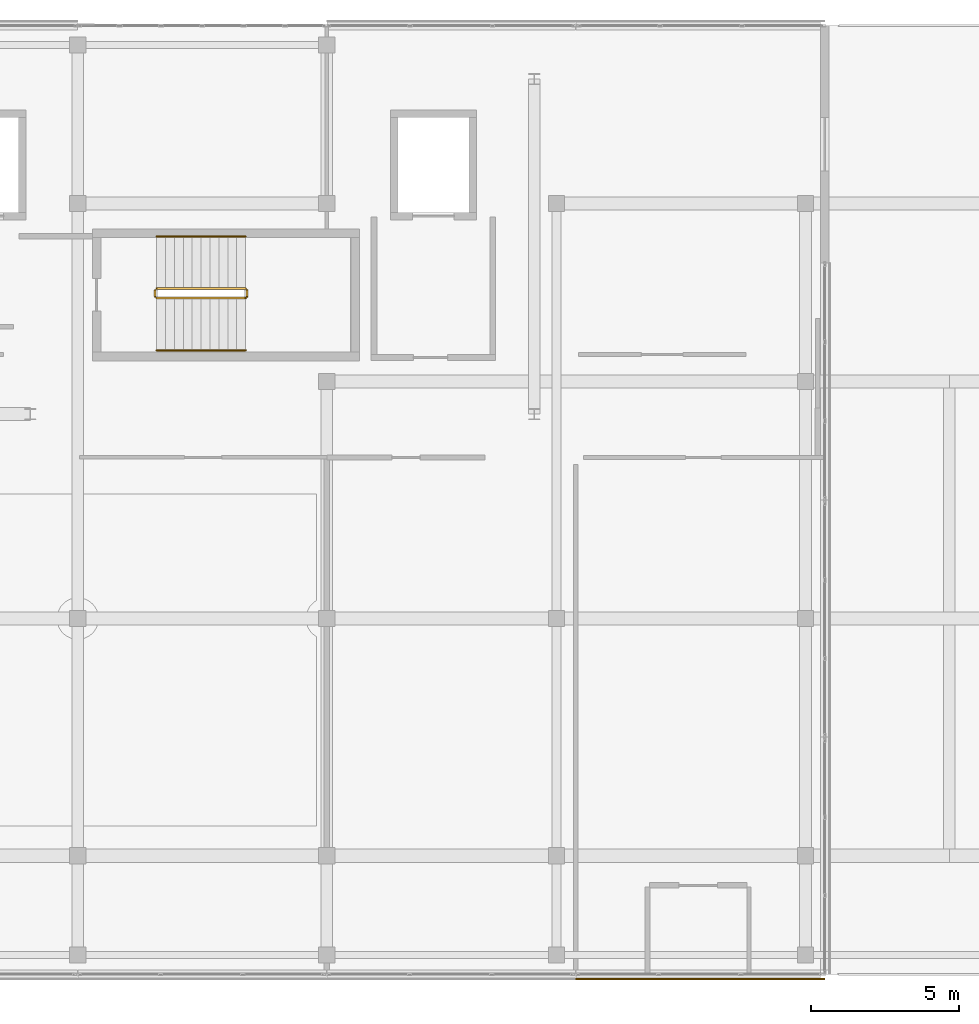
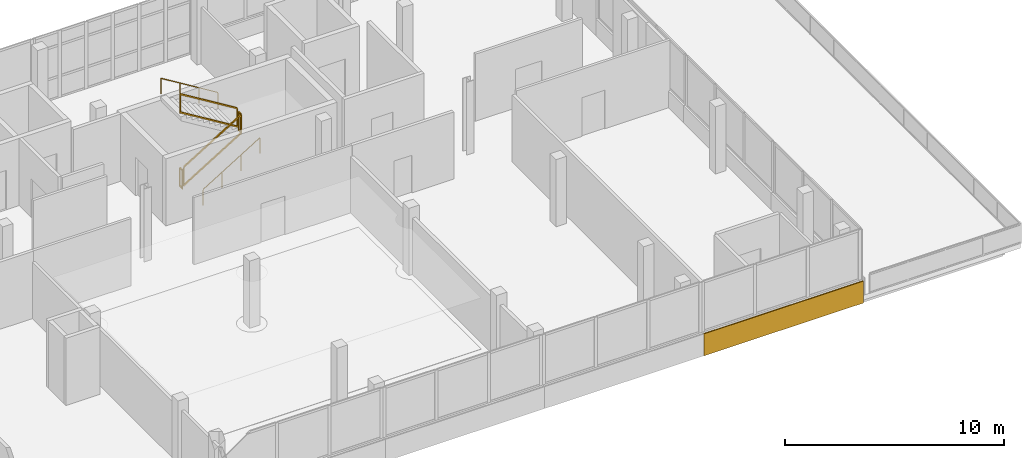
# One storey, part 65 of 67: 6 railings, 1 covering.
"""IFC4 building model written with IfcOpenShell, lengths in metres."""

from ifc_helpers import new_model, si_unit, direction, frame, origin, origin_2d, place, context, subcontext, project, spatial, rectangle, circle, extrude, material, layer, layer_set, type_object, element, save


model = new_model("IFC4")

# Units and contexts
model_context = context("Model", 3, precision=1e-05, world=origin(), true_north=direction((0.0, 1.0)))
body_context = subcontext(model_context, "Body", "Model", "MODEL_VIEW")
ifc_project = project(units=[si_unit("LENGTHUNIT", "METRE"), si_unit("AREAUNIT", "SQUARE_METRE"), si_unit("VOLUMEUNIT", "CUBIC_METRE"), si_unit("PLANEANGLEUNIT", "RADIAN"), si_unit("MASSUNIT", "GRAM", prefix="KILO")], contexts=[model_context])

# Site, building, storey
site_placement = place(None, origin())
site = spatial("IfcSite", under=ifc_project, at=site_placement, CompositionType="ELEMENT")
building_placement = place(site_placement, origin())
building = spatial("IfcBuilding", under=site, at=building_placement, Name="Selatvlak General Hospital", CompositionType="ELEMENT")
storey_placement = place(building_placement, frame((0.0, 0.0, 35.39990234375)))
storey = spatial("IfcBuildingStorey", under=building, at=storey_placement, Name="L08", CompositionType="ELEMENT", Elevation=35.39990234375)

# Covering
ifc_material_1 = material(Name="White Bauhaus fair-faced cladding panel")
ifc_layer = layer(ifc_material_1, 0.054931640625, Name="White Bauhaus fair-faced cladding panel")
ifc_layer_set = layer_set([ifc_layer], Name="White Bauhaus fair-faced cladding panel")
covering_type = type_object("IfcCoveringType", Name="COV-WHT1", PredefinedType="CLADDING", material=ifc_layer_set)
covering_placement = place(storey_placement, frame((153.0, 87.8359375, -0.27978515625), z_axis=(0.0, 0.0, 1.0), x_axis=(-1.0, 0.0, 0.0)))
element("IfcCovering", 1, at=covering_placement, inside=storey, type_object=covering_type, Name="L08 Bauhaus horizontal white spandrel band 0555", PredefinedType="CLADDING", context=body_context, shape_type="SweptSolid", body=[
    extrude(rectangle(XDim=8.39990234375, YDim=0.054931640625, at=origin_2d()), origin(), (0.0, 0.0, 1.0), 1.219970703125),
])

# Railings
ifc_material_2 = material(Name="Stainless steel 316 stair guard", Category="steel")
railing_type_1 = type_object("IfcRailingType", Name="RAIL-STG", PredefinedType="GUARDRAIL", material=ifc_material_2)
railing_1_placement = place(storey_placement, frame((134.659912109375, 110.81005859375, 0.18408203125)))
element("IfcRailing", 2, at=railing_1_placement, inside=storey, type_object=railing_type_1, Name="L08 ST-04 stair guard 1", PredefinedType="GUARDRAIL", context=body_context, shape_type="SweptSolid", body=[
    extrude(rectangle(XDim=0.068115234375, YDim=0.068115234375, at=origin_2d()), frame((0.00244140625, 0.0, 1.067626953125), z_axis=(0.852303052018, 0.0, 0.52304828412), x_axis=(0.0, 1.0, 0.0)), (0.0, 0.0, 1.0), 3.513916015625),
    extrude(rectangle(XDim=0.068115234375, YDim=0.068115234375, at=origin_2d()), frame((0.00244140625, 0.0, 0.050537109375), z_axis=(0.852303052018, 0.0, 0.52304828412), x_axis=(0.0, 1.0, 0.0)), (0.0, 0.0, 1.0), 3.513916015625),
    extrude(rectangle(XDim=0.055908203125, YDim=0.055908203125, at=origin_2d()), origin(), (0.0, 0.0, 1.0), 1.029052734375),
    extrude(rectangle(XDim=0.055908203125, YDim=0.055908203125, at=origin_2d()), frame((3.0, 0.0, 1.841064453125)), (0.0, 0.0, 1.0), 1.029052734375),
])
railing_2_placement = place(storey_placement, frame((137.7099609375, 110.860107421875, 2.025146484375)))
element("IfcRailing", 3, at=railing_2_placement, inside=storey, type_object=railing_type_1, Name="L08 ST-04 stair guard 2", PredefinedType="GUARDRAIL", context=body_context, shape_type="SweptSolid", body=[
    extrude(rectangle(XDim=0.068115234375, YDim=0.068115234375, at=origin_2d()), frame((0.0, 0.0029296875, 1.06591796875), z_axis=(0.0, 1.0, 0.0), x_axis=(-1.0, 0.0, 0.0)), (0.0, 0.0, 1.0), 0.214111328125),
    extrude(rectangle(XDim=0.068115234375, YDim=0.068115234375, at=origin_2d()), frame((0.0, 0.0029296875, 0.049072265625), z_axis=(0.0, 1.0, 0.0), x_axis=(-1.0, 0.0, 0.0)), (0.0, 0.0, 1.0), 0.214111328125),
    extrude(rectangle(XDim=0.055908203125, YDim=0.055908203125, at=origin_2d()), origin(), (0.0, 0.0, 1.0), 1.029052734375),
    extrude(rectangle(XDim=0.055908203125, YDim=0.055908203125, at=origin_2d()), frame((0.0, 0.219970703125, 0.0)), (0.0, 0.0, 1.0), 1.029052734375),
])
railing_3_placement = place(storey_placement, frame((137.659912109375, 111.1298828125, 2.209228515625)))
element("IfcRailing", 4, at=railing_3_placement, inside=storey, type_object=railing_type_1, Name="L08 ST-04 stair guard 3", PredefinedType="GUARDRAIL", context=body_context, shape_type="SweptSolid", body=[
    extrude(rectangle(XDim=0.068115234375, YDim=0.068115234375, at=origin_2d()), frame((-0.00244140625, 0.0, 1.067626953125), z_axis=(-0.852333972304, 0.0, 0.522997896417), x_axis=(0.0, -1.0, 0.0)), (0.0, 0.0, 1.0), 3.513916015625),
    extrude(rectangle(XDim=0.068115234375, YDim=0.068115234375, at=origin_2d()), frame((-0.00244140625, 0.0, 0.050537109375), z_axis=(-0.852333972304, 0.0, 0.522997896417), x_axis=(0.0, -1.0, 0.0)), (0.0, 0.0, 1.0), 3.513916015625),
    extrude(rectangle(XDim=0.055908203125, YDim=0.055908203125, at=origin_2d()), origin(), (0.0, 0.0, 1.0), 1.029052734375),
    extrude(rectangle(XDim=0.055908203125, YDim=0.055908203125, at=origin_2d()), frame((-3.0, 0.0, 1.8408203125)), (0.0, 0.0, 1.0), 1.029052734375),
])
railing_4_placement = place(storey_placement, frame((134.610107421875, 110.860107421875, 0.0)))
element("IfcRailing", 5, at=railing_4_placement, inside=storey, type_object=railing_type_1, Name="L08 ST-04 stair guard 4", PredefinedType="GUARDRAIL", context=body_context, shape_type="SweptSolid", body=[
    extrude(rectangle(XDim=0.068115234375, YDim=0.068115234375, at=origin_2d()), frame((0.0, 0.0029296875, 1.06591796875), z_axis=(0.0, 1.0, 0.0), x_axis=(-1.0, 0.0, 0.0)), (0.0, 0.0, 1.0), 0.214111328125),
    extrude(rectangle(XDim=0.068115234375, YDim=0.068115234375, at=origin_2d()), frame((0.0, 0.0029296875, 0.049072265625), z_axis=(0.0, 1.0, 0.0), x_axis=(-1.0, 0.0, 0.0)), (0.0, 0.0, 1.0), 0.214111328125),
    extrude(rectangle(XDim=0.055908203125, YDim=0.055908203125, at=origin_2d()), origin(), (0.0, 0.0, 1.0), 1.029052734375),
    extrude(rectangle(XDim=0.055908203125, YDim=0.055908203125, at=origin_2d()), frame((0.0, 0.219970703125, 0.0)), (0.0, 0.0, 1.0), 1.029052734375),
])
ifc_material_3 = material(Name="Stainless steel 316 handrail", Category="steel")
railing_type_2 = type_object("IfcRailingType", Name="RAIL-STH", PredefinedType="HANDRAIL", material=ifc_material_3)
railing_5_placement = place(storey_placement, frame((134.659912109375, 109.050048828125, 0.18408203125)))
element("IfcRailing", 6, at=railing_5_placement, inside=storey, type_object=railing_type_2, Name="L08 ST-04 stair handrail 1", PredefinedType="HANDRAIL", context=body_context, shape_type="SweptSolid", body=[
    extrude(circle(Radius=0.02392578125, at=origin_2d()), frame((0.00244140625, 0.0, 0.87744140625), z_axis=(0.852303052018, 0.0, 0.52304828412), x_axis=(0.0, 1.0, 0.0)), (0.0, 0.0, 1.0), 3.513916015625),
    extrude(circle(Radius=0.02099609375, at=origin_2d()), origin(), (0.0, 0.0, 1.0), 0.848876953125),
    extrude(circle(Radius=0.02099609375, at=origin_2d()), frame((1.0, 0.0, 0.61376953125)), (0.0, 0.0, 1.0), 0.848876953125),
    extrude(circle(Radius=0.02099609375, at=origin_2d()), frame((2.0, 0.0, 1.227294921875)), (0.0, 0.0, 1.0), 0.848876953125),
    extrude(circle(Radius=0.02099609375, at=origin_2d()), frame((3.0, 0.0, 1.841064453125)), (0.0, 0.0, 1.0), 0.848876953125),
])
railing_6_placement = place(storey_placement, frame((137.659912109375, 112.889892578125, 2.209228515625)))
element("IfcRailing", 7, at=railing_6_placement, inside=storey, type_object=railing_type_2, Name="L08 ST-04 stair handrail 2", PredefinedType="HANDRAIL", context=body_context, shape_type="SweptSolid", body=[
    extrude(circle(Radius=0.02392578125, at=origin_2d()), frame((-0.00244140625, 0.0, 0.87744140625), z_axis=(-0.852333972304, 0.0, 0.522997896417), x_axis=(0.0, -1.0, 0.0)), (0.0, 0.0, 1.0), 3.513916015625),
    extrude(circle(Radius=0.02099609375, at=origin_2d()), origin(), (0.0, 0.0, 1.0), 0.848876953125),
    extrude(circle(Radius=0.02099609375, at=origin_2d()), frame((-1.0, 0.0, 0.613525390625)), (0.0, 0.0, 1.0), 0.848876953125),
    extrude(circle(Radius=0.02099609375, at=origin_2d()), frame((-2.0, 0.0, 1.227294921875)), (0.0, 0.0, 1.0), 0.848876953125),
    extrude(circle(Radius=0.02099609375, at=origin_2d()), frame((-3.0, 0.0, 1.8408203125)), (0.0, 0.0, 1.0), 0.848876953125),
])

save(model, "model.ifc")
